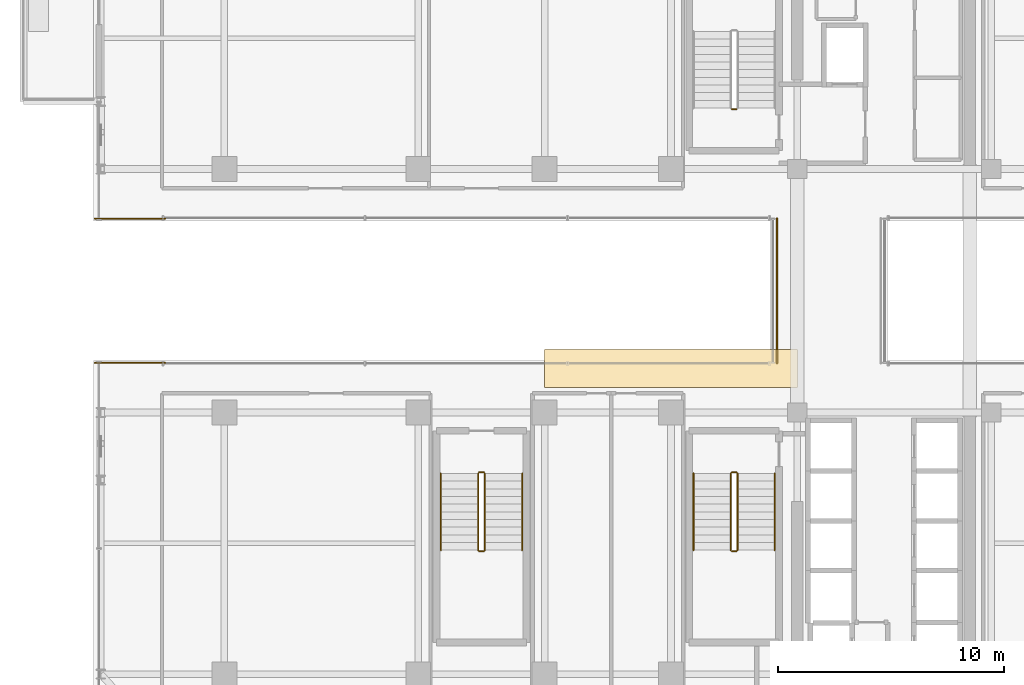
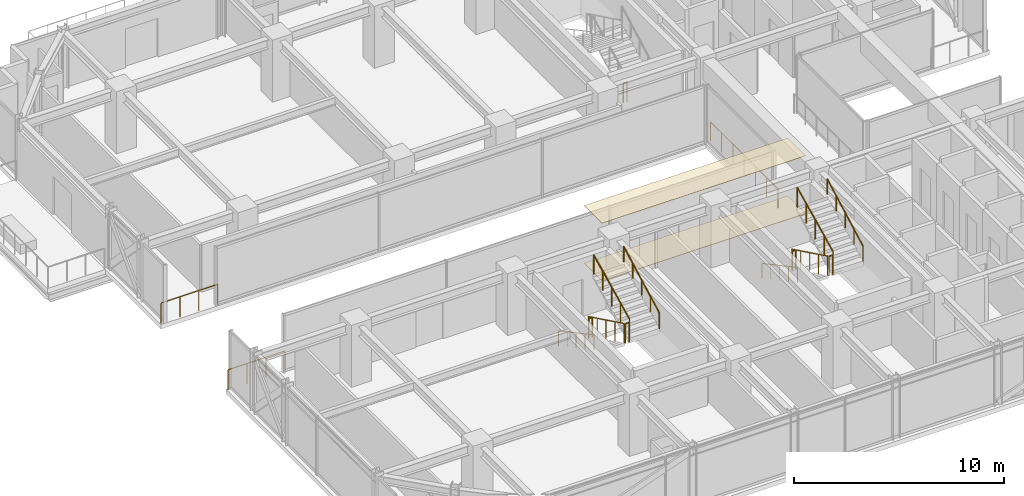
# One storey, part 34 of 37: 16 railings, 2 coverings.
"""IFC4 building model written with IfcOpenShell, lengths in metres."""

from ifc_helpers import new_model, si_unit, direction, frame, origin, origin_2d, place, context, subcontext, project, spatial, polyline, circle, outline, extrude, material, layer, layer_set, type_object, element, save


model = new_model("IFC4")

# Units and contexts
model_context = context("Model", 3, precision=1e-05, world=origin(), true_north=direction((0.0, 1.0)))
body_context = subcontext(model_context, "Body", "Model", "MODEL_VIEW")
ifc_project = project(units=[si_unit("LENGTHUNIT", "METRE"), si_unit("AREAUNIT", "SQUARE_METRE"), si_unit("VOLUMEUNIT", "CUBIC_METRE"), si_unit("PLANEANGLEUNIT", "RADIAN"), si_unit("MASSUNIT", "GRAM", prefix="KILO")], contexts=[model_context])

# Site, building, storey
site_placement = place(None, origin())
site = spatial("IfcSite", under=ifc_project, at=site_placement, CompositionType="ELEMENT")
building_placement = place(site_placement, origin())
building = spatial("IfcBuilding", under=site, at=building_placement, Name="Nahalor Promenade Grand Hotel", CompositionType="ELEMENT")
storey_placement = place(building_placement, frame((0.0, 0.0, 167.25)))
storey = spatial("IfcBuildingStorey", under=building, at=storey_placement, Name="L42", CompositionType="ELEMENT", Elevation=167.25)

# Covering
ifc_material_1 = material(Name="Acoustic Mineral Gypsum", Category="gypsum")
ifc_layer_1 = layer(ifc_material_1, 0.02490234375)
ifc_layer_set_1 = layer_set([ifc_layer_1], Name="Acoustic Mineral Gypsum")
covering_type_1 = type_object("IfcCoveringType", Name="Acoustic Suspended Ceiling Tile", PredefinedType="CEILING", material=ifc_layer_set_1)
covering_1_placement = place(storey_placement, frame((0.0, 0.0, 3.364990234375)))
element("IfcCovering", 1, at=covering_1_placement, inside=storey, type_object=covering_type_1, Name="CV-CEIL-L42", PredefinedType="CEILING", context=body_context, shape_type="SweptSolid", body=[
    extrude(outline(polyline([(-2.800048828125, -4.300048828125), (8.39990234375, -4.300048828125), (8.39990234375, -2.60009765625), (-2.800048828125, -2.60009765625), (-2.800048828125, -4.300048828125)])), origin(), (0.0, 0.0, 1.0), 0.02490234375),
])

# Railings
ifc_material_2 = material(Name="Anodised Bronze Aluminium EN AW-6063 T6", Category="aluminium")
railing_type_1 = type_object("IfcRailingType", Name="Bronze Balcony Guardrail 1200 mm", PredefinedType="GUARDRAIL", material=ifc_material_2)
for number, where, name in (
    (2, (-22.739990234375, -3.199951171875, 0.0), "L42 Oculus Void Edge Guardrail WS"),
    (3, (-22.739990234375, 3.199951171875, 0.0), "L42 Oculus Void Edge Guardrail WN"),
):
    element("IfcRailing", number, at=place(storey_placement, frame(where)), inside=storey, type_object=railing_type_1, Name=name, PredefinedType="GUARDRAIL", context=body_context, shape_type="SweptSolid", body=[
        extrude(circle(Radius=0.024048, at=origin_2d()), frame((0.0, 0.0, 1.17578125), z_axis=(1.0, 0.0, 0.0), x_axis=(0.0, 1.0, 0.0)), (0.0, 0.0, 1.0), 3.119873046875),
        extrude(circle(Radius=0.020996, at=origin_2d()), origin(), (0.0, 0.0, 1.0), 1.14990234375),
        extrude(circle(Radius=0.020996, at=origin_2d()), frame((1.0400390625, 0.0, 0.0)), (0.0, 0.0, 1.0), 1.14990234375),
        extrude(circle(Radius=0.020996, at=origin_2d()), frame((2.079833984375, 0.0, 0.0)), (0.0, 0.0, 1.0), 1.14990234375),
        extrude(circle(Radius=0.020996, at=origin_2d()), frame((3.119873046875, 0.0, 0.0)), (0.0, 0.0, 1.0), 1.14990234375),
    ])
railing_type_2 = type_object("IfcRailingType", Name="Bronze Sky Balustrade 1150 mm", PredefinedType="BALUSTRADE", material=ifc_material_2)
railing_1_placement = place(storey_placement, frame((7.5, -3.219970703125, 0.0)))
element("IfcRailing", 4, at=railing_1_placement, inside=storey, type_object=railing_type_2, Name="BL-L42-BRG-W", PredefinedType="BALUSTRADE", context=body_context, shape_type="SweptSolid", body=[
    extrude(circle(Radius=0.024048, at=origin_2d()), frame((0.0, 0.0, 1.1259765625), z_axis=(0.0, 1.0, 0.0), x_axis=(-1.0, 0.0, 0.0)), (0.0, 0.0, 1.0), 6.43994140625),
    extrude(circle(Radius=0.020996, at=origin_2d()), origin(), (0.0, 0.0, 1.0), 1.099853515625),
    extrude(circle(Radius=0.020996, at=origin_2d()), frame((0.0, 1.0732421875, 0.0)), (0.0, 0.0, 1.0), 1.099853515625),
    extrude(circle(Radius=0.020996, at=origin_2d()), frame((0.0, 2.146728515625, 0.0)), (0.0, 0.0, 1.0), 1.099853515625),
    extrude(circle(Radius=0.020996, at=origin_2d()), frame((0.0, 3.219970703125, 0.0)), (0.0, 0.0, 1.0), 1.099853515625),
    extrude(circle(Radius=0.020996, at=origin_2d()), frame((0.0, 4.293212890625, 0.0)), (0.0, 0.0, 1.0), 1.099853515625),
    extrude(circle(Radius=0.020996, at=origin_2d()), frame((0.0, 5.36669921875, 0.0)), (0.0, 0.0, 1.0), 1.099853515625),
    extrude(circle(Radius=0.020996, at=origin_2d()), frame((0.0, 6.43994140625, 0.0)), (0.0, 0.0, 1.0), 1.099853515625),
])

# Covering
ifc_material_3 = material(Name="Jerusalem Limestone Flooring", Category="masonry")
ifc_layer_2 = layer(ifc_material_3, 0.030029296875)
ifc_layer_set_2 = layer_set([ifc_layer_2], Name="Jerusalem Limestone Flooring")
covering_type_2 = type_object("IfcCoveringType", Name="Honed Limestone Floor Finish", PredefinedType="FLOORING", material=ifc_layer_set_2)
covering_2_placement = place(storey_placement, origin())
element("IfcCovering", 5, at=covering_2_placement, inside=storey, type_object=covering_type_2, Name="CV-FLOR-L42", PredefinedType="FLOORING", context=body_context, shape_type="SweptSolid", body=[
    extrude(outline(polyline([(-2.800048828125, -4.300048828125), (8.39990234375, -4.300048828125), (8.39990234375, -2.60009765625), (-2.800048828125, -2.60009765625), (-2.800048828125, -4.300048828125)])), origin(), (0.0, 0.0, 1.0), 0.030029296875),
])

# Railings
ifc_material_4 = material(Name="Steel S355JR", Category="steel")
railing_type_3 = type_object("IfcRailingType", Name="Steel Stair Guardrail 1150 mm", PredefinedType="GUARDRAIL", material=ifc_material_4)
railing_2_placement = place(storey_placement, frame((5.699951171875, 8.050048828125, 0.0)))
element("IfcRailing", 6, at=railing_2_placement, inside=storey, type_object=railing_type_3, Name="L42 ST1 stair guard 4", PredefinedType="GUARDRAIL", context=body_context, shape_type="SweptSolid", body=[
    extrude(circle(Radius=0.024048, at=origin_2d()), frame((0.0, 0.0, 1.1259765625), z_axis=(-1.0, 0.0, 0.0), x_axis=(0.0, -1.0, 0.0)), (0.0, 0.0, 1.0), 0.199951171875),
    extrude(circle(Radius=0.020996, at=origin_2d()), origin(), (0.0, 0.0, 1.0), 1.099853515625),
    extrude(circle(Radius=0.020996, at=origin_2d()), frame((-0.199951171875, 0.0, 0.0)), (0.0, 0.0, 1.0), 1.099853515625),
])
railing_3_placement = place(storey_placement, frame((5.449951171875, -8.10009765625, 0.166015625)))
element("IfcRailing", 7, at=railing_3_placement, inside=storey, type_object=railing_type_3, Name="L42 ST2 stair guard 1", PredefinedType="GUARDRAIL", context=body_context, shape_type="SweptSolid", body=[
    extrude(circle(Radius=0.024048, at=origin_2d()), frame((0.0, 0.0, 1.1259765625), z_axis=(0.0, -0.898721922897, 0.438518990814), x_axis=(1.0, 0.0, 0.0)), (0.0, 0.0, 1.0), 3.782958984375),
    extrude(circle(Radius=0.020996, at=origin_2d()), origin(), (0.0, 0.0, 1.0), 1.099853515625),
    extrude(circle(Radius=0.020996, at=origin_2d()), frame((0.0, -0.85009765625, 0.414794921875)), (0.0, 0.0, 1.0), 1.099853515625),
    extrude(circle(Radius=0.020996, at=origin_2d()), frame((0.0, -1.699951171875, 0.82958984375)), (0.0, 0.0, 1.0), 1.099853515625),
    extrude(circle(Radius=0.020996, at=origin_2d()), frame((0.0, -2.5498046875, 1.244140625)), (0.0, 0.0, 1.0), 1.099853515625),
    extrude(circle(Radius=0.020996, at=origin_2d()), frame((0.0, -3.39990234375, 1.658935546875)), (0.0, 0.0, 1.0), 1.099853515625),
])
railing_4_placement = place(storey_placement, frame((5.5, -11.550048828125, 1.824951171875)))
element("IfcRailing", 8, at=railing_4_placement, inside=storey, type_object=railing_type_3, Name="L42 ST2 stair guard 2", PredefinedType="GUARDRAIL", context=body_context, shape_type="SweptSolid", body=[
    extrude(circle(Radius=0.024048, at=origin_2d()), frame((0.0, 0.0, 1.1259765625), z_axis=(1.0, 0.0, 0.0), x_axis=(0.0, 1.0, 0.0)), (0.0, 0.0, 1.0), 0.199951171875),
    extrude(circle(Radius=0.020996, at=origin_2d()), origin(), (0.0, 0.0, 1.0), 1.099853515625),
    extrude(circle(Radius=0.020996, at=origin_2d()), frame((0.199951171875, 0.0, 0.0)), (0.0, 0.0, 1.0), 1.099853515625),
])
railing_5_placement = place(storey_placement, frame((5.75, -11.5, 1.990966796875)))
element("IfcRailing", 9, at=railing_5_placement, inside=storey, type_object=railing_type_3, Name="L42 ST2 stair guard 3", PredefinedType="GUARDRAIL", context=body_context, shape_type="SweptSolid", body=[
    extrude(circle(Radius=0.024048, at=origin_2d()), frame((0.0, 0.0, 1.1259765625), z_axis=(0.0, 0.898721922897, 0.438518990814), x_axis=(-1.0, 0.0, 0.0)), (0.0, 0.0, 1.0), 3.782958984375),
    extrude(circle(Radius=0.020996, at=origin_2d()), origin(), (0.0, 0.0, 1.0), 1.099853515625),
    extrude(circle(Radius=0.020996, at=origin_2d()), frame((0.0, 0.85009765625, 0.414794921875)), (0.0, 0.0, 1.0), 1.099853515625),
    extrude(circle(Radius=0.020996, at=origin_2d()), frame((0.0, 1.699951171875, 0.82958984375)), (0.0, 0.0, 1.0), 1.099853515625),
    extrude(circle(Radius=0.020996, at=origin_2d()), frame((0.0, 2.5498046875, 1.244140625)), (0.0, 0.0, 1.0), 1.099853515625),
    extrude(circle(Radius=0.020996, at=origin_2d()), frame((0.0, 3.39990234375, 1.658935546875)), (0.0, 0.0, 1.0), 1.099853515625),
])
railing_6_placement = place(storey_placement, frame((5.5, -8.050048828125, 0.0)))
element("IfcRailing", 10, at=railing_6_placement, inside=storey, type_object=railing_type_3, Name="L42 ST2 stair guard 4", PredefinedType="GUARDRAIL", context=body_context, shape_type="SweptSolid", body=[
    extrude(circle(Radius=0.024048, at=origin_2d()), frame((0.0, 0.0, 1.1259765625), z_axis=(1.0, 0.0, 0.0), x_axis=(0.0, 1.0, 0.0)), (0.0, 0.0, 1.0), 0.199951171875),
    extrude(circle(Radius=0.020996, at=origin_2d()), origin(), (0.0, 0.0, 1.0), 1.099853515625),
    extrude(circle(Radius=0.020996, at=origin_2d()), frame((0.199951171875, 0.0, 0.0)), (0.0, 0.0, 1.0), 1.099853515625),
])
railing_7_placement = place(storey_placement, frame((-5.75, -8.10009765625, 0.166015625)))
element("IfcRailing", 11, at=railing_7_placement, inside=storey, type_object=railing_type_3, Name="L42 ST3 stair guard 1", PredefinedType="GUARDRAIL", context=body_context, shape_type="SweptSolid", body=[
    extrude(circle(Radius=0.024048, at=origin_2d()), frame((0.0, 0.0, 1.1259765625), z_axis=(0.0, -0.898721922897, 0.438518990814), x_axis=(1.0, 0.0, 0.0)), (0.0, 0.0, 1.0), 3.782958984375),
    extrude(circle(Radius=0.020996, at=origin_2d()), origin(), (0.0, 0.0, 1.0), 1.099853515625),
    extrude(circle(Radius=0.020996, at=origin_2d()), frame((0.0, -0.85009765625, 0.414794921875)), (0.0, 0.0, 1.0), 1.099853515625),
    extrude(circle(Radius=0.020996, at=origin_2d()), frame((0.0, -1.699951171875, 0.82958984375)), (0.0, 0.0, 1.0), 1.099853515625),
    extrude(circle(Radius=0.020996, at=origin_2d()), frame((0.0, -2.5498046875, 1.244140625)), (0.0, 0.0, 1.0), 1.099853515625),
    extrude(circle(Radius=0.020996, at=origin_2d()), frame((0.0, -3.39990234375, 1.658935546875)), (0.0, 0.0, 1.0), 1.099853515625),
])
railing_8_placement = place(storey_placement, frame((-5.699951171875, -11.550048828125, 1.824951171875)))
element("IfcRailing", 12, at=railing_8_placement, inside=storey, type_object=railing_type_3, Name="L42 ST3 stair guard 2", PredefinedType="GUARDRAIL", context=body_context, shape_type="SweptSolid", body=[
    extrude(circle(Radius=0.024048, at=origin_2d()), frame((0.0, 0.0, 1.1259765625), z_axis=(1.0, 0.0, 0.0), x_axis=(0.0, 1.0, 0.0)), (0.0, 0.0, 1.0), 0.199951171875),
    extrude(circle(Radius=0.020996, at=origin_2d()), origin(), (0.0, 0.0, 1.0), 1.099853515625),
    extrude(circle(Radius=0.020996, at=origin_2d()), frame((0.199951171875, 0.0, 0.0)), (0.0, 0.0, 1.0), 1.099853515625),
])
railing_9_placement = place(storey_placement, frame((-5.449951171875, -11.5, 1.990966796875)))
element("IfcRailing", 13, at=railing_9_placement, inside=storey, type_object=railing_type_3, Name="L42 ST3 stair guard 3", PredefinedType="GUARDRAIL", context=body_context, shape_type="SweptSolid", body=[
    extrude(circle(Radius=0.024048, at=origin_2d()), frame((0.0, 0.0, 1.1259765625), z_axis=(0.0, 0.898721922897, 0.438518990814), x_axis=(-1.0, 0.0, 0.0)), (0.0, 0.0, 1.0), 3.782958984375),
    extrude(circle(Radius=0.020996, at=origin_2d()), origin(), (0.0, 0.0, 1.0), 1.099853515625),
    extrude(circle(Radius=0.020996, at=origin_2d()), frame((0.0, 0.85009765625, 0.414794921875)), (0.0, 0.0, 1.0), 1.099853515625),
    extrude(circle(Radius=0.020996, at=origin_2d()), frame((0.0, 1.699951171875, 0.82958984375)), (0.0, 0.0, 1.0), 1.099853515625),
    extrude(circle(Radius=0.020996, at=origin_2d()), frame((0.0, 2.5498046875, 1.244140625)), (0.0, 0.0, 1.0), 1.099853515625),
    extrude(circle(Radius=0.020996, at=origin_2d()), frame((0.0, 3.39990234375, 1.658935546875)), (0.0, 0.0, 1.0), 1.099853515625),
])
railing_10_placement = place(storey_placement, frame((-5.699951171875, -8.050048828125, 0.0)))
element("IfcRailing", 14, at=railing_10_placement, inside=storey, type_object=railing_type_3, Name="L42 ST3 stair guard 4", PredefinedType="GUARDRAIL", context=body_context, shape_type="SweptSolid", body=[
    extrude(circle(Radius=0.024048, at=origin_2d()), frame((0.0, 0.0, 1.1259765625), z_axis=(1.0, 0.0, 0.0), x_axis=(0.0, 1.0, 0.0)), (0.0, 0.0, 1.0), 0.199951171875),
    extrude(circle(Radius=0.020996, at=origin_2d()), origin(), (0.0, 0.0, 1.0), 1.099853515625),
    extrude(circle(Radius=0.020996, at=origin_2d()), frame((0.199951171875, 0.0, 0.0)), (0.0, 0.0, 1.0), 1.099853515625),
])
railing_type_4 = type_object("IfcRailingType", Name="Steel Stair Handrail 900 mm", PredefinedType="HANDRAIL", material=ifc_material_4)
railing_11_placement = place(storey_placement, frame((3.800048828125, -8.10009765625, 0.166015625)))
element("IfcRailing", 15, at=railing_11_placement, inside=storey, type_object=railing_type_4, Name="L42 ST2 stair handrail 1", PredefinedType="HANDRAIL", context=body_context, shape_type="SweptSolid", body=[
    extrude(circle(Radius=0.024048, at=origin_2d()), frame((0.0, 0.0, 0.8759765625), z_axis=(0.0, -0.881094038095, 0.47294111265), x_axis=(1.0, 0.0, 0.0)), (0.0, 0.0, 1.0), 3.858642578125),
    extrude(circle(Radius=0.020996, at=origin_2d()), origin(), (0.0, 0.0, 1.0), 0.849853515625),
    extrude(circle(Radius=0.020996, at=origin_2d()), frame((0.0, -0.85009765625, 0.456298828125)), (0.0, 0.0, 1.0), 0.849853515625),
    extrude(circle(Radius=0.020996, at=origin_2d()), frame((0.0, -1.699951171875, 0.91259765625)), (0.0, 0.0, 1.0), 0.849853515625),
    extrude(circle(Radius=0.020996, at=origin_2d()), frame((0.0, -2.5498046875, 1.36865234375)), (0.0, 0.0, 1.0), 0.849853515625),
    extrude(circle(Radius=0.020996, at=origin_2d()), frame((0.0, -3.39990234375, 1.824951171875)), (0.0, 0.0, 1.0), 0.849853515625),
])
railing_12_placement = place(storey_placement, frame((7.39990234375, -11.5, 1.990966796875)))
element("IfcRailing", 16, at=railing_12_placement, inside=storey, type_object=railing_type_4, Name="L42 ST2 stair handrail 2", PredefinedType="HANDRAIL", context=body_context, shape_type="SweptSolid", body=[
    extrude(circle(Radius=0.024048, at=origin_2d()), frame((0.0, 0.0, 0.8759765625), z_axis=(0.0, 0.881094038095, 0.47294111265), x_axis=(-1.0, 0.0, 0.0)), (0.0, 0.0, 1.0), 3.858642578125),
    extrude(circle(Radius=0.020996, at=origin_2d()), origin(), (0.0, 0.0, 1.0), 0.849853515625),
    extrude(circle(Radius=0.020996, at=origin_2d()), frame((0.0, 0.85009765625, 0.456298828125)), (0.0, 0.0, 1.0), 0.849853515625),
    extrude(circle(Radius=0.020996, at=origin_2d()), frame((0.0, 1.699951171875, 0.91259765625)), (0.0, 0.0, 1.0), 0.849853515625),
    extrude(circle(Radius=0.020996, at=origin_2d()), frame((0.0, 2.5498046875, 1.36865234375)), (0.0, 0.0, 1.0), 0.849853515625),
    extrude(circle(Radius=0.020996, at=origin_2d()), frame((0.0, 3.39990234375, 1.824951171875)), (0.0, 0.0, 1.0), 0.849853515625),
])
railing_13_placement = place(storey_placement, frame((-7.39990234375, -8.10009765625, 0.166015625)))
element("IfcRailing", 17, at=railing_13_placement, inside=storey, type_object=railing_type_4, Name="L42 ST3 stair handrail 1", PredefinedType="HANDRAIL", context=body_context, shape_type="SweptSolid", body=[
    extrude(circle(Radius=0.024048, at=origin_2d()), frame((0.0, 0.0, 0.8759765625), z_axis=(0.0, -0.881094038095, 0.47294111265), x_axis=(1.0, 0.0, 0.0)), (0.0, 0.0, 1.0), 3.858642578125),
    extrude(circle(Radius=0.020996, at=origin_2d()), origin(), (0.0, 0.0, 1.0), 0.849853515625),
    extrude(circle(Radius=0.020996, at=origin_2d()), frame((0.0, -0.85009765625, 0.456298828125)), (0.0, 0.0, 1.0), 0.849853515625),
    extrude(circle(Radius=0.020996, at=origin_2d()), frame((0.0, -1.699951171875, 0.91259765625)), (0.0, 0.0, 1.0), 0.849853515625),
    extrude(circle(Radius=0.020996, at=origin_2d()), frame((0.0, -2.5498046875, 1.36865234375)), (0.0, 0.0, 1.0), 0.849853515625),
    extrude(circle(Radius=0.020996, at=origin_2d()), frame((0.0, -3.39990234375, 1.824951171875)), (0.0, 0.0, 1.0), 0.849853515625),
])
railing_14_placement = place(storey_placement, frame((-3.800048828125, -11.5, 1.990966796875)))
element("IfcRailing", 18, at=railing_14_placement, inside=storey, type_object=railing_type_4, Name="L42 ST3 stair handrail 2", PredefinedType="HANDRAIL", context=body_context, shape_type="SweptSolid", body=[
    extrude(circle(Radius=0.024048, at=origin_2d()), frame((0.0, 0.0, 0.8759765625), z_axis=(0.0, 0.881094038095, 0.47294111265), x_axis=(-1.0, 0.0, 0.0)), (0.0, 0.0, 1.0), 3.858642578125),
    extrude(circle(Radius=0.020996, at=origin_2d()), origin(), (0.0, 0.0, 1.0), 0.849853515625),
    extrude(circle(Radius=0.020996, at=origin_2d()), frame((0.0, 0.85009765625, 0.456298828125)), (0.0, 0.0, 1.0), 0.849853515625),
    extrude(circle(Radius=0.020996, at=origin_2d()), frame((0.0, 1.699951171875, 0.91259765625)), (0.0, 0.0, 1.0), 0.849853515625),
    extrude(circle(Radius=0.020996, at=origin_2d()), frame((0.0, 2.5498046875, 1.36865234375)), (0.0, 0.0, 1.0), 0.849853515625),
    extrude(circle(Radius=0.020996, at=origin_2d()), frame((0.0, 3.39990234375, 1.824951171875)), (0.0, 0.0, 1.0), 0.849853515625),
])

save(model, "model.ifc")
